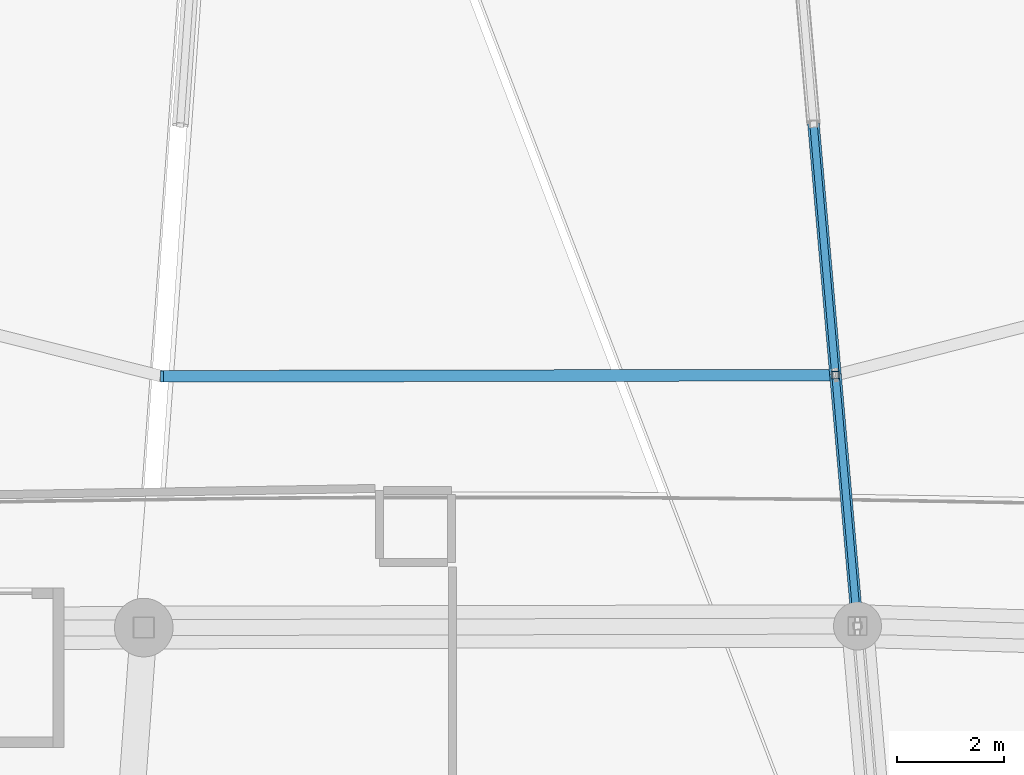
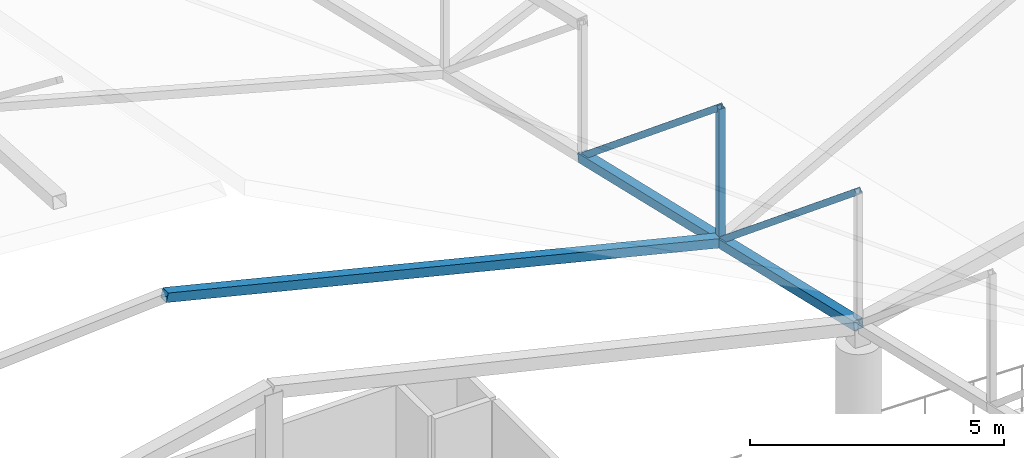
# One storey, part 38 of 344: 6 members.
"""IFC4 building model written with IfcOpenShell, lengths in metres."""

from ifc_helpers import new_model, si_unit, direction, frame, origin, origin_2d, place, context, subcontext, project, spatial, hollow_rectangle, extrude, material, material_profile, profile_set, type_object, element, save


model = new_model("IFC4")

# Units and contexts
model_context = context("Model", 3, precision=1e-05, world=origin(), true_north=direction((0.0, 1.0)))
body_context = subcontext(model_context, "Body", "Model", "MODEL_VIEW")
ifc_project = project(units=[si_unit("LENGTHUNIT", "METRE"), si_unit("AREAUNIT", "SQUARE_METRE"), si_unit("VOLUMEUNIT", "CUBIC_METRE"), si_unit("PLANEANGLEUNIT", "RADIAN"), si_unit("MASSUNIT", "GRAM", prefix="KILO")], contexts=[model_context])

# Site, building, storey
site_placement = place(None, origin())
site = spatial("IfcSite", under=ifc_project, at=site_placement, CompositionType="ELEMENT")
building_placement = place(site_placement, origin())
building = spatial("IfcBuilding", under=site, at=building_placement, Name="Meseta Stadium", CompositionType="ELEMENT")
storey_placement = place(building_placement, frame((0.0, 0.0, 24.0)))
storey = spatial("IfcBuildingStorey", under=building, at=storey_placement, Name="L04", CompositionType="ELEMENT", Elevation=24.0)

# Members
ifc_material_1 = material(Name="Steel S355", Category="steel")
ifc_material_profile_1 = material_profile(ifc_material_1, hollow_rectangle(XDim=0.139892578125, YDim=0.139892578125, WallThickness=0.0048828125, at=origin_2d()), Name="SHS 140x140x5")
ifc_profile_set_1 = profile_set([ifc_material_profile_1], Name="Steel S355")
member_type_1 = type_object("IfcMemberType", Name="SHS 140x140x5 diagonal", PredefinedType="BRACE", material=ifc_profile_set_1)
for number, where, z_axis, x_axis, name in (
    (1, (6.045654296875, -80.103271484375, 3.835693359375), (0.067423184498, -0.769222733906, 0.635413644672), (0.996180639476, 0.087316284462, 0.0), "ROOF TRUSS RT-47 diagonal"),
    (2, (6.458251953125, -84.810546875, 4.524169921875), (0.067423184498, -0.769222733906, 0.635413644672), (0.996180639476, 0.087316284462, 0.0), "ROOF TRUSS RT-47 diagonal"),
):
    element("IfcMember", number, at=place(storey_placement, frame(where, z_axis=z_axis, x_axis=x_axis)), inside=storey, type_object=member_type_1, Name=name, PredefinedType="BRACE", context=body_context, shape_type="SweptSolid", body=[
        extrude(hollow_rectangle(XDim=0.139892578125, YDim=0.139892578125, WallThickness=0.0048828125, at=origin_2d()), origin(), (0.0, 0.0, 1.0), 6.11962890625),
    ])
ifc_material_2 = material(Name="Steel S355", Category="steel")
ifc_material_profile_2 = material_profile(ifc_material_2, hollow_rectangle(XDim=0.139892578125, YDim=0.139892578125, WallThickness=0.0048828125, at=origin_2d()), Name="SHS 140x140x5")
ifc_profile_set_2 = profile_set([ifc_material_profile_2], Name="Steel S355")
member_type_2 = type_object("IfcMemberType", Name="SHS 140x140x5 post", PredefinedType="POST", material=ifc_profile_set_2)
member_1_placement = place(storey_placement, frame((6.458251953125, -84.810546875, 4.524169921875), z_axis=(0.0, 0.0, 1.0), x_axis=(1.0, 0.0, 0.0)))
element("IfcMember", 3, at=member_1_placement, inside=storey, type_object=member_type_2, Name="ROOF TRUSS RT-47 post", PredefinedType="POST", context=body_context, shape_type="SweptSolid", body=[
    extrude(hollow_rectangle(XDim=0.139892578125, YDim=0.139892578125, WallThickness=0.0048828125, at=origin_2d()), origin(), (0.0, 0.0, 1.0), 3.199951171875),
])
ifc_material_3 = material(Name="Steel S355", Category="steel")
ifc_material_profile_3 = material_profile(ifc_material_3, hollow_rectangle(XDim=0.219970703125, YDim=0.219970703125, WallThickness=0.008056640625, at=origin_2d()), Name="SHS 220x220x8")
ifc_profile_set_3 = profile_set([ifc_material_profile_3], Name="Steel S355")
member_type_3 = type_object("IfcMemberType", Name="SHS 220x220x8 bottom chord", PredefinedType="CHORD", material=ifc_profile_set_3)
for number, where, z_axis, x_axis, name in (
    (4, (6.045654296875, -80.103271484375, 3.835693359375), (0.086403995476, -0.985772447789, 0.144177081208), (0.996180639476, 0.087316284462, 0.0), "ROOF TRUSS RT-47 bottom chord"),
    (5, (6.458251953125, -84.810546875, 4.524169921875), (0.086403995476, -0.985772447789, 0.144177081208), (0.996180639476, 0.087316284462, 0.0), "ROOF TRUSS RT-47 bottom chord"),
):
    element("IfcMember", number, at=place(storey_placement, frame(where, z_axis=z_axis, x_axis=x_axis)), inside=storey, type_object=member_type_3, Name=name, PredefinedType="CHORD", context=body_context, shape_type="SweptSolid", body=[
        extrude(hollow_rectangle(XDim=0.219970703125, YDim=0.219970703125, WallThickness=0.008056640625, at=origin_2d()), origin(), (0.0, 0.0, 1.0), 4.775146484375),
    ])
ifc_material_4 = material(Name="Steel S355", Category="steel")
ifc_material_profile_4 = material_profile(ifc_material_4, hollow_rectangle(XDim=0.219970703125, YDim=0.219970703125, WallThickness=0.008056640625, at=origin_2d()), Name="SHS 220x220x8")
ifc_profile_set_4 = profile_set([ifc_material_profile_4], Name="Steel S355")
member_type_4 = type_object("IfcMemberType", Name="SHS 220x220x8 strut", PredefinedType="STRUT", material=ifc_profile_set_4)
member_2_placement = place(storey_placement, frame((-6.17529296875, -84.83349609375, 7.644287109375), z_axis=(0.970828995591, 0.00176354041, -0.239766451459), x_axis=(-0.00181652743, 0.999998350113, 0.0)))
element("IfcMember", 6, at=member_2_placement, inside=storey, type_object=member_type_4, Name="ROOF TRUSS STRUT RT-46/47", PredefinedType="STRUT", context=body_context, shape_type="SweptSolid", body=[
    extrude(hollow_rectangle(XDim=0.219970703125, YDim=0.219970703125, WallThickness=0.008056640625, at=origin_2d()), origin(), (0.0, 0.0, 1.0), 13.01318359375),
])

save(model, "model.ifc")
